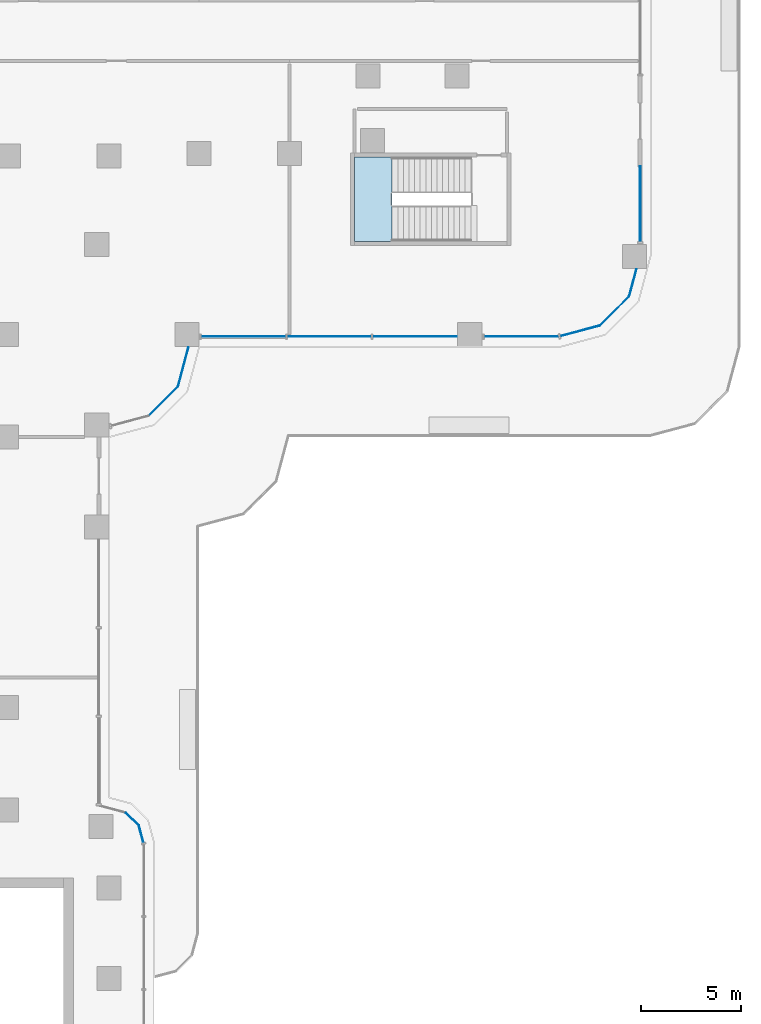
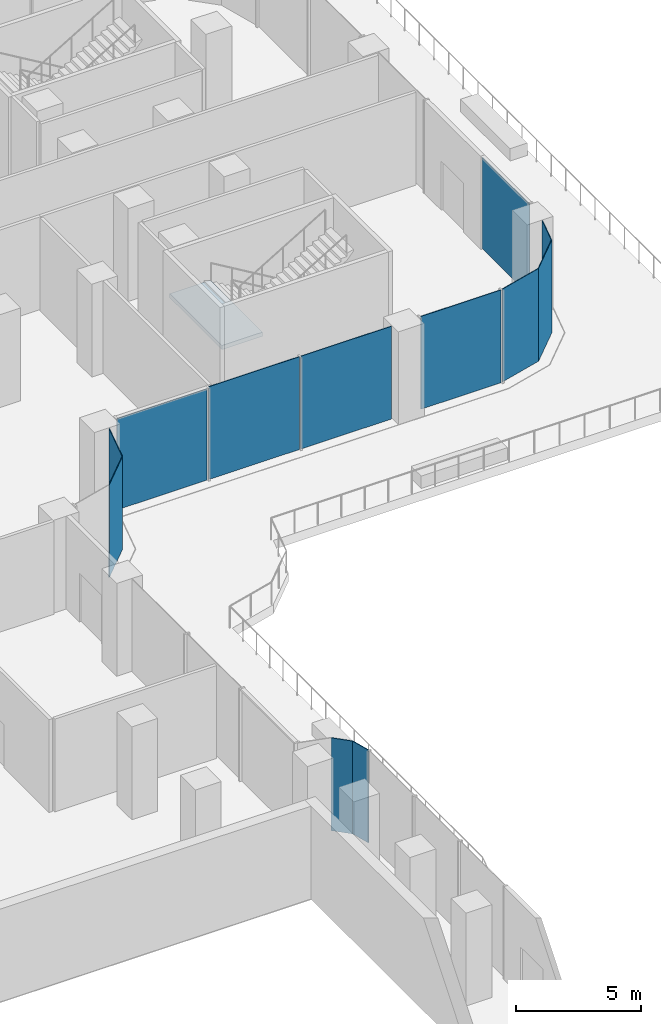
# One storey, part 12 of 27: 12 plates, 1 slab, 10 elements without a shape of their own.
"""IFC4 building model written with IfcOpenShell, lengths in metres."""

from ifc_helpers import new_model, si_unit, direction, frame, origin, place, context, subcontext, project, spatial, polyline, outline, extrude, source, transform, mapped, material, layer, layer_set, type_object, element, aggregate, save


model = new_model("IFC4")

# Units and contexts
model_context = context("Model", 3, precision=1e-05, world=origin(), true_north=direction((0.0, 1.0)))
body_context = subcontext(model_context, "Body", "Model", "MODEL_VIEW")
ifc_project = project(units=[si_unit("LENGTHUNIT", "METRE"), si_unit("AREAUNIT", "SQUARE_METRE"), si_unit("VOLUMEUNIT", "CUBIC_METRE"), si_unit("PLANEANGLEUNIT", "RADIAN"), si_unit("MASSUNIT", "GRAM", prefix="KILO")], contexts=[model_context])

# Site, building, storey
site_placement = place(None, origin())
site = spatial("IfcSite", under=ifc_project, at=site_placement, CompositionType="ELEMENT")
building_placement = place(site_placement, origin())
building = spatial("IfcBuilding", under=site, at=building_placement, Name="Zarbagh Exchange Tower", CompositionType="ELEMENT")
storey_placement = place(building_placement, frame((0.0, 0.0, 17.0)))
storey = spatial("IfcBuildingStorey", under=building, at=storey_placement, Name="L03", CompositionType="ELEMENT", Elevation=17.0)

# Stair, slab
ifc_material_1 = material(Name="Concrete C40/50", Category="concrete")
stair_type = type_object("IfcStairType", Name="Exit stair two-flight half-turn", PredefinedType="HALF_TURN_STAIR", material=ifc_material_1)
stair_placement = place(storey_placement, origin())
stair = element("IfcStair", 1, at=stair_placement, inside=storey, type_object=stair_type, Name="exit stair PS6", PredefinedType="HALF_TURN_STAIR")
ifc_layer_1 = layer(ifc_material_1, 0.199951171875)
ifc_layer_set_1 = layer_set([ifc_layer_1], Name="Stair landing 200 mm")
slab_type = type_object("IfcSlabType", Name="Stair landing 200 mm", PredefinedType="LANDING", material=ifc_layer_set_1)
slab_placement = place(storey_placement, frame((0.0, 0.0, 2.300048828125)))
slab = element("IfcSlab", 2, at=slab_placement, type_object=slab_type, Name="PS6 landing 1", PredefinedType="LANDING", context=body_context, shape_type="SweptSolid", body=[
    extrude(outline(polyline([(29.8798828125, -6.300048828125), (28.0, -6.300048828125), (28.0, -10.5), (29.8798828125, -10.5), (29.8798828125, -6.300048828125)])), origin(), (0.0, 0.0, 1.0), 0.199951171875),
])
aggregate(stair, [slab])

# Curtain wall, plate
ifc_material_2 = material(Name="Anodised aluminium frame and glazing", Category="aluminium")
curtain_wall_type_1 = type_object("IfcCurtainWallType", Name="CWC Podium garden-wall glazing", PredefinedType="NOTDEFINED", material=ifc_material_2)
curtain_wall_1_placement = place(storey_placement, origin())
curtain_wall_1 = element("IfcCurtainWall", 3, at=curtain_wall_1_placement, inside=storey, type_object=curtain_wall_type_1, Name="CWC151 curtain wall", PredefinedType="NOTDEFINED")
ifc_material_3 = material(Name="Low-e double glazed unit, 6+12+6 mm")
ifc_layer_2 = layer(ifc_material_3, 0.031982421875)
ifc_layer_set_2 = layer_set([ifc_layer_2], Name="PAC Glazing panel, Low-e double glazed unit, 6+12+6 mm")
plate_type_1 = type_object("IfcPlateType", Name="PAC Glazing panel, Low-e double glazed unit, 6+12+6 mm", PredefinedType="CURTAIN_PANEL", material=ifc_layer_set_2)
shared_shape_1 = source(origin(), body_context, "Body", "SweptSolid", [
    extrude(outline(polyline([(0.0, -0.01611328125), (2.049560546875, -0.01611328125), (2.049560546875, 0.01611328125), (0.0, 0.01611328125), (0.0, -0.01611328125)])), origin(), (0.0, 0.0, 1.0), 4.550048828125),
])
placement = place(storey_placement, origin())
plate_1 = element("IfcPlate", 4, at=placement, type_object=plate_type_1, Name="CWC151 glazing panel 1.1", PredefinedType="CURTAIN_PANEL", context=body_context, shape_type="MappedRepresentation", body=[
    mapped(shared_shape_1, transform((38.261474609375, -15.229248046875, 0.0), x_axis=(0.965924289636, 0.258824779902, 0.0), y_axis=(-0.258824779902, 0.965924289636, 0.0), z_axis=(0.0, 0.0, 1.0))),
])
aggregate(curtain_wall_1, [plate_1])

curtain_wall_2_placement = place(storey_placement, origin())
curtain_wall_2 = element("IfcCurtainWall", 5, at=curtain_wall_2_placement, inside=storey, type_object=curtain_wall_type_1, Name="CWC148 curtain wall", PredefinedType="NOTDEFINED")
shared_shape_2 = source(origin(), body_context, "Body", "SweptSolid", [
    extrude(outline(polyline([(0.0, -0.01611328125), (2.061279296875, -0.01611328125), (2.061279296875, 0.01611328125), (0.0, 0.01611328125), (0.0, -0.01611328125)])), origin(), (0.0, 0.0, 1.0), 4.550048828125),
])
plate_2 = element("IfcPlate", 6, at=placement, type_object=plate_type_1, Name="CWC148 glazing panel 1.1", PredefinedType="CURTAIN_PANEL", context=body_context, shape_type="MappedRepresentation", body=[
    mapped(shared_shape_2, transform((17.7412109375, -19.19873046875, 0.0), x_axis=(0.707106781187, 0.707106781187, 0.0), y_axis=(-0.707106781187, 0.707106781187, 0.0), z_axis=(0.0, 0.0, 1.0))),
])
aggregate(curtain_wall_2, [plate_2])

curtain_wall_3_placement = place(storey_placement, origin())
curtain_wall_3 = element("IfcCurtainWall", 7, at=curtain_wall_3_placement, inside=storey, type_object=curtain_wall_type_1, Name="CWC152 curtain wall", PredefinedType="NOTDEFINED")
plate_3 = element("IfcPlate", 8, at=placement, type_object=plate_type_1, Name="CWC152 glazing panel 1.1", PredefinedType="CURTAIN_PANEL", context=body_context, shape_type="MappedRepresentation", body=[
    mapped(shared_shape_2, transform((40.2412109375, -14.69873046875, 0.0), x_axis=(0.707106781187, 0.707106781187, 0.0), y_axis=(-0.707106781187, 0.707106781187, 0.0), z_axis=(0.0, 0.0, 1.0))),
])
aggregate(curtain_wall_3, [plate_3])

curtain_wall_4_placement = place(storey_placement, origin())
curtain_wall_4 = element("IfcCurtainWall", 9, at=curtain_wall_4_placement, inside=storey, type_object=curtain_wall_type_1, Name="CWC153 curtain wall", PredefinedType="NOTDEFINED")
shared_shape_3 = source(origin(), body_context, "Body", "SweptSolid", [
    extrude(outline(polyline([(0.0, -0.01611328125), (1.398681640625, -0.01611328125), (1.398681640625, 0.01611328125), (0.0, 0.01611328125), (0.0, -0.01611328125)])), origin(), (0.0, 0.0, 1.0), 4.550048828125),
])
plate_4 = element("IfcPlate", 10, at=placement, type_object=plate_type_1, Name="CWC153 glazing panel 1.1", PredefinedType="CURTAIN_PANEL", context=body_context, shape_type="MappedRepresentation", body=[
    mapped(shared_shape_3, transform((41.69873046875, -13.2412109375, 0.0), x_axis=(0.258824779902, 0.965924289636, 0.0), y_axis=(-0.965924289636, 0.258824779902, 0.0), z_axis=(0.0, 0.0, 1.0))),
])
aggregate(curtain_wall_4, [plate_4])

curtain_wall_5_placement = place(storey_placement, origin())
curtain_wall_5 = element("IfcCurtainWall", 11, at=curtain_wall_5_placement, inside=storey, type_object=curtain_wall_type_1, Name="CWC149 curtain wall", PredefinedType="NOTDEFINED")
shared_shape_4 = source(origin(), body_context, "Body", "SweptSolid", [
    extrude(outline(polyline([(0.0, -0.01611328125), (2.02001953125, -0.01611328125), (2.02001953125, 0.01611328125), (0.0, 0.01611328125), (0.0, -0.01611328125)])), origin(), (0.0, 0.0, 1.0), 4.550048828125),
])
plate_5 = element("IfcPlate", 12, at=placement, type_object=plate_type_1, Name="CWC149 glazing panel 1.1", PredefinedType="CURTAIN_PANEL", context=body_context, shape_type="MappedRepresentation", body=[
    mapped(shared_shape_4, transform((19.19873046875, -17.7412109375, 0.0), x_axis=(0.258824779902, 0.965924289636, 0.0), y_axis=(-0.965924289636, 0.258824779902, 0.0), z_axis=(0.0, 0.0, 1.0))),
])
aggregate(curtain_wall_5, [plate_5])

# Curtain wall, plates
curtain_wall_6_placement = place(storey_placement, origin())
curtain_wall_6 = element("IfcCurtainWall", 13, at=curtain_wall_6_placement, inside=storey, type_object=curtain_wall_type_1, Name="CWC150 curtain wall", PredefinedType="NOTDEFINED")
shared_shape_5 = source(origin(), body_context, "Body", "SweptSolid", [
    extrude(outline(polyline([(0.0, -0.01611328125), (4.193359375, -0.01611328125), (4.193359375, 0.01611328125), (0.0, 0.01611328125), (0.0, -0.01611328125)])), origin(), (0.0, 0.0, 1.0), 4.469970703125),
])
plate_6 = element("IfcPlate", 14, at=placement, type_object=plate_type_1, Name="CWC150 glazing panel 1.1", PredefinedType="CURTAIN_PANEL", context=body_context, shape_type="MappedRepresentation", body=[
    mapped(shared_shape_5, transform((20.3701171875, -15.25, 0.0), x_axis=(1.0, 0.0, 0.0), y_axis=(0.0, 1.0, 0.0), z_axis=(0.0, 0.0, 1.0))),
])
shared_shape_6 = source(origin(), body_context, "Body", "SweptSolid", [
    extrude(outline(polyline([(0.0, -0.01611328125), (4.193359375, -0.01611328125), (4.193359375, 0.01611328125), (0.0, 0.01611328125), (0.0, -0.01611328125)])), origin(), (0.0, 0.0, 1.0), 4.550048828125),
])
plate_7 = element("IfcPlate", 15, at=placement, type_object=plate_type_1, Name="CWC150 glazing panel 1.2", PredefinedType="CURTAIN_PANEL", context=body_context, shape_type="MappedRepresentation", body=[
    mapped(shared_shape_6, transform((24.643310546875, -15.25, 0.0), x_axis=(1.0, 0.0, 0.0), y_axis=(0.0, 1.0, 0.0), z_axis=(0.0, 0.0, 1.0))),
])
plate_8 = element("IfcPlate", 16, at=placement, type_object=plate_type_1, Name="CWC150 glazing panel 1.3", PredefinedType="CURTAIN_PANEL", context=body_context, shape_type="MappedRepresentation", body=[
    mapped(shared_shape_6, transform((28.916748046875, -15.25, 0.0), x_axis=(1.0, 0.0, 0.0), y_axis=(0.0, 1.0, 0.0), z_axis=(0.0, 0.0, 1.0))),
])
shared_shape_7 = source(origin(), body_context, "Body", "SweptSolid", [
    extrude(outline(polyline([(0.0, -0.01611328125), (3.714111328125, -0.01611328125), (3.714111328125, 0.01611328125), (0.0, 0.01611328125), (0.0, -0.01611328125)])), origin(), (0.0, 0.0, 1.0), 4.550048828125),
])
plate_9 = element("IfcPlate", 17, at=placement, type_object=plate_type_1, Name="CWC150 glazing panel 2.1", PredefinedType="CURTAIN_PANEL", context=body_context, shape_type="MappedRepresentation", body=[
    mapped(shared_shape_7, transform((34.469970703125, -15.25, 0.0), x_axis=(1.0, 0.0, 0.0), y_axis=(0.0, 1.0, 0.0), z_axis=(0.0, 0.0, 1.0))),
])
aggregate(curtain_wall_6, [plate_6, plate_7, plate_8, plate_9])

# Curtain wall, plate
curtain_wall_7_placement = place(storey_placement, origin())
curtain_wall_7 = element("IfcCurtainWall", 18, at=curtain_wall_7_placement, inside=storey, type_object=curtain_wall_type_1, Name="CWC154 curtain wall", PredefinedType="NOTDEFINED")
shared_shape_8 = source(origin(), body_context, "Body", "SweptSolid", [
    extrude(outline(polyline([(0.0, -0.01611328125), (3.780029296875, -0.01611328125), (3.780029296875, 0.01611328125), (0.0, 0.01611328125), (0.0, -0.01611328125)])), origin(), (0.0, 0.0, 1.0), 4.469970703125),
])
plate_10 = element("IfcPlate", 19, at=placement, type_object=plate_type_1, Name="CWC154 glazing panel 1.1", PredefinedType="CURTAIN_PANEL", context=body_context, shape_type="MappedRepresentation", body=[
    mapped(shared_shape_8, transform((42.25, -10.530029296875, 0.0), x_axis=(0.0, 1.0, 0.0), y_axis=(-1.0, 0.0, 0.0), z_axis=(0.0, 0.0, 1.0))),
])
aggregate(curtain_wall_7, [plate_10])

curtain_wall_type_2 = type_object("IfcCurtainWallType", Name="CWD Exchange hall wall glazing", PredefinedType="NOTDEFINED", material=ifc_material_2)
curtain_wall_8_placement = place(storey_placement, origin())
curtain_wall_8 = element("IfcCurtainWall", 20, at=curtain_wall_8_placement, inside=storey, type_object=curtain_wall_type_2, Name="CWD15 curtain wall", PredefinedType="NOTDEFINED")
ifc_layer_3 = layer(ifc_material_3, 0.035888671875)
ifc_layer_set_3 = layer_set([ifc_layer_3], Name="PAD Glazing panel, Low-e double glazed unit, 6+12+6 mm")
plate_type_2 = type_object("IfcPlateType", Name="PAD Glazing panel, Low-e double glazed unit, 6+12+6 mm", PredefinedType="CURTAIN_PANEL", material=ifc_layer_set_3)
shared_shape_9 = source(origin(), body_context, "Body", "SweptSolid", [
    extrude(outline(polyline([(0.0, -0.01806640625), (0.885009765625, -0.01806640625), (0.885009765625, 0.01806640625), (0.0, 0.01806640625), (0.0, -0.01806640625)])), origin(), (0.0, 0.0, 1.0), 4.550048828125),
])
plate_11 = element("IfcPlate", 21, at=placement, type_object=plate_type_2, Name="CWD15 glazing panel 1.1", PredefinedType="CURTAIN_PANEL", context=body_context, shape_type="MappedRepresentation", body=[
    mapped(shared_shape_9, transform((17.479248046875, -40.488525390625, 0.0), x_axis=(-0.25878472492, 0.965935021701, 0.0), y_axis=(-0.965935021701, -0.25878472492, 0.0), z_axis=(0.0, 0.0, 1.0))),
])
aggregate(curtain_wall_8, [plate_11])

curtain_wall_9_placement = place(storey_placement, origin())
curtain_wall_9 = element("IfcCurtainWall", 22, at=curtain_wall_9_placement, inside=storey, type_object=curtain_wall_type_2, Name="CWD16 curtain wall", PredefinedType="NOTDEFINED")
shared_shape_10 = source(origin(), body_context, "Body", "SweptSolid", [
    extrude(outline(polyline([(0.0, -0.01806640625), (0.896728515625, -0.01806640625), (0.896728515625, 0.01806640625), (0.0, 0.01806640625), (0.0, -0.01806640625)])), origin(), (0.0, 0.0, 1.0), 4.550048828125),
])
plate_12 = element("IfcPlate", 23, at=placement, type_object=plate_type_2, Name="CWD16 glazing panel 1.1", PredefinedType="CURTAIN_PANEL", context=body_context, shape_type="MappedRepresentation", body=[
    mapped(shared_shape_10, transform((17.250244140625, -39.6337890625, 0.0), x_axis=(-0.707106781187, 0.707106781187, 0.0), y_axis=(-0.707106781187, -0.707106781187, 0.0), z_axis=(0.0, 0.0, 1.0))),
])
aggregate(curtain_wall_9, [plate_12])

save(model, "model.ifc")
